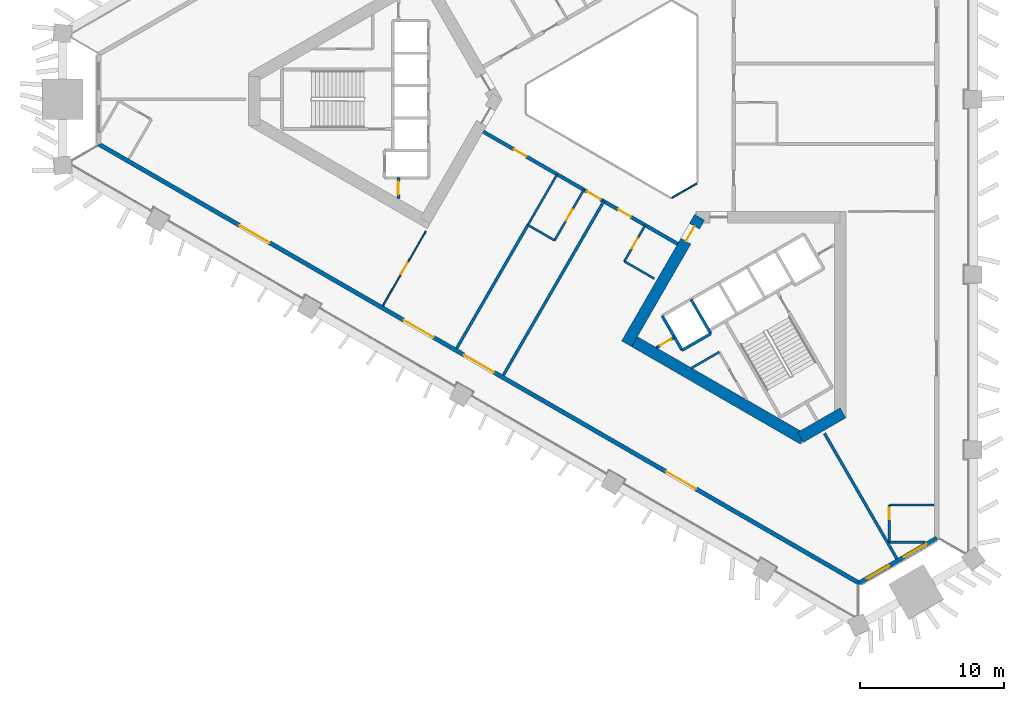
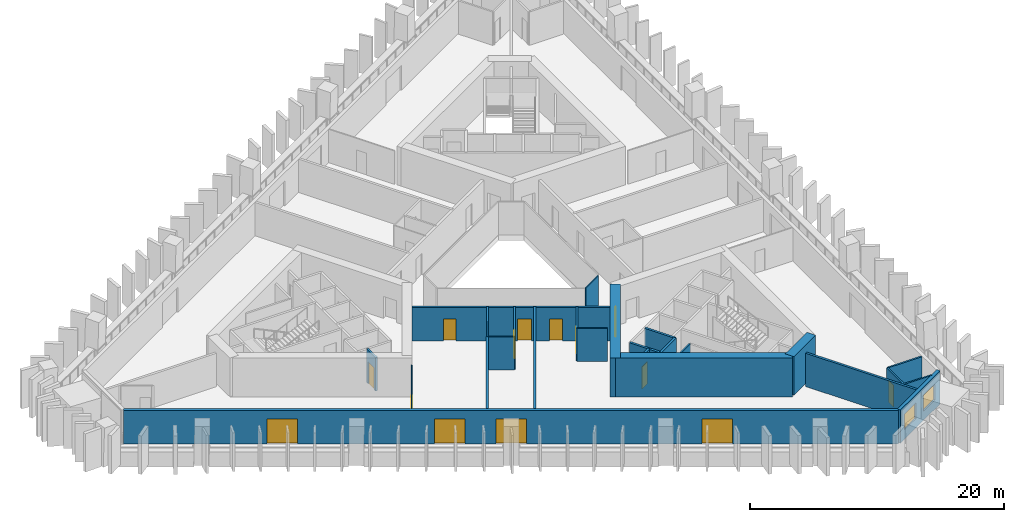
# One storey, part 2 of 10: 25 walls, 14 doors, 2 windows, 16 openings.
"""IFC4 building model written with IfcOpenShell, lengths in metres."""

from ifc_helpers import new_model, si_unit, direction, frame, frame_2d, origin, place, context, subcontext, project, spatial, rectangle, extrude, material, layer, layer_set, type_object, element, fill, save


model = new_model("IFC4")

# Units and contexts
model_context = context("Model", 3, precision=1e-05, world=origin(), true_north=direction((0.0, 1.0)))
body_context = subcontext(model_context, "Body", "Model", "MODEL_VIEW")
ifc_project = project(units=[si_unit("LENGTHUNIT", "METRE"), si_unit("AREAUNIT", "SQUARE_METRE"), si_unit("VOLUMEUNIT", "CUBIC_METRE"), si_unit("PLANEANGLEUNIT", "RADIAN"), si_unit("MASSUNIT", "GRAM", prefix="KILO")], contexts=[model_context])

# Site, building, storey
site_placement = place(None, origin())
site = spatial("IfcSite", under=ifc_project, at=site_placement, CompositionType="ELEMENT")
building_placement = place(site_placement, origin())
building = spatial("IfcBuilding", under=site, at=building_placement, Name="Jabali Bay Hotel Tower and Convention Centre", CompositionType="ELEMENT")
storey_placement = place(building_placement, frame((0.0, 0.0, 44.800048828125)))
storey = spatial("IfcBuildingStorey", under=building, at=storey_placement, Name="L09", CompositionType="ELEMENT", Elevation=44.800048828125)

# Wall
ifc_material_1 = material(Name="Fire-resistant glazing", Category="glass")
ifc_layer_1 = layer(ifc_material_1, 0.10009765625)
ifc_layer_set_1 = layer_set([ifc_layer_1], Name="Fire-resistant glazing")
wall_type_1 = type_object("IfcWallType", Name="Atrium glazed screen 100", PredefinedType="PARTITIONING", material=ifc_layer_set_1)
wall_1_placement = place(storey_placement, frame((77.7978515625, 73.15380859375, 0.0), z_axis=(0.0, 0.0, 1.0), x_axis=(0.866041268327, 0.499972520799, 0.0)))
element("IfcWall", 1, at=wall_1_placement, inside=storey, type_object=wall_type_1, Name="Atrium screen 6 L09", PredefinedType="PARTITIONING", context=body_context, shape_type="SweptSolid", body=[
    extrude(rectangle(XDim=2.0, YDim=0.10009765625, at=frame_2d((1.0, 0.0))), origin(), (0.0, 0.0, 1.0), 3.199951171875),
])

# Wall, opening, door
ifc_material_2 = material(Name="Concrete C40", Category="concrete")
ifc_layer_2 = layer(ifc_material_2, 0.199951171875)
ifc_layer_set_2 = layer_set([ifc_layer_2], Name="Concrete C40")
wall_type_2 = type_object("IfcWallType", Name="Core partition wall 200", PredefinedType="PARTITIONING", material=ifc_layer_set_2)
wall_2_placement = place(storey_placement, frame((58.800048828125, 74.550048828125, 0.0), z_axis=(0.0, 0.0, 1.0), x_axis=(0.0, -1.0, 0.0)))
wall_2 = element("IfcWall", 2, at=wall_2_placement, inside=storey, type_object=wall_type_2, Name="Core wall 0.12 L09", PredefinedType="PARTITIONING", context=body_context, shape_type="SweptSolid", body=[
    extrude(rectangle(XDim=1.455078125, YDim=0.199951171875, at=frame_2d((0.7275390625, 0.0))), origin(), (0.0, 0.0, 1.0), 3.199951171875),
])
opening_1_placement = place(wall_2_placement, frame((0.277587890625, 0.0, 0.0)))
opening_1 = element("IfcOpeningElement", 3, at=opening_1_placement, cuts=wall_2, Name="Opening D272", PredefinedType="OPENING", context=body_context, shape_type="SweptSolid", body=[
    extrude(rectangle(XDim=0.89990234375, YDim=2.10009765625, at=frame_2d((0.449951171875, 1.050048828125))), frame((0.0, 0.1103515625, 0.0), z_axis=(0.0, -1.0, 0.0), x_axis=(1.0, 0.0, 0.0)), (0.0, 0.0, 1.0), 0.220947265625),
])
ifc_material_3 = material(Name="Fire-rated steel door", Category="steel")
door_type_1 = type_object("IfcDoorType", Name="Vestibule fire door 900 x 2100", OperationType="NOTDEFINED", PredefinedType="NOTDEFINED", material=ifc_material_3)
door_1_placement = place(opening_1_placement, origin())
door_1 = element("IfcDoor", 4, at=door_1_placement, inside=storey, type_object=door_type_1, Name="Vestibule fire door D272", OperationType="SINGLE_SWING_LEFT", OverallHeight=2.10009765625, OverallWidth=0.89990234375, PredefinedType="NOTDEFINED", context=body_context, shape_type="SweptSolid", body=[
    extrude(rectangle(XDim=0.89990234375, YDim=2.10009765625, at=frame_2d((0.449951171875, 1.050048828125))), frame((0.0, 0.02490234375, 0.0), z_axis=(0.0, -1.0, 0.0), x_axis=(1.0, 0.0, 0.0)), (0.0, 0.0, 1.0), 0.050048828125),
])
fill(opening_1, door_1)

wall_3_placement = place(storey_placement, frame((76.719970703125, 62.748779296875, 0.0), z_axis=(0.0, 0.0, 1.0), x_axis=(0.866054810376, 0.49994906283, 0.0)))
wall_3 = element("IfcWall", 5, at=wall_3_placement, inside=storey, type_object=wall_type_2, Name="Core wall 2.11 L09", PredefinedType="PARTITIONING", context=body_context, shape_type="SweptSolid", body=[
    extrude(rectangle(XDim=1.461181640625, YDim=0.199951171875, at=frame_2d((0.73046875, 0.0))), origin(), (0.0, 0.0, 1.0), 3.199951171875),
])
opening_2_placement = place(wall_3_placement, frame((0.280517578125, 0.0, 0.0)))
opening_2 = element("IfcOpeningElement", 6, at=opening_2_placement, cuts=wall_3, Name="Opening D285", PredefinedType="OPENING", context=body_context, shape_type="SweptSolid", body=[
    extrude(rectangle(XDim=0.89990234375, YDim=2.10009765625, at=frame_2d((0.449951171875, 1.050048828125))), frame((0.0, 0.1103515625, 0.0), z_axis=(0.0, -1.0, 0.0), x_axis=(1.0, 0.0, 0.0)), (0.0, 0.0, 1.0), 0.220947265625),
])
door_2_placement = place(opening_2_placement, origin())
door_2 = element("IfcDoor", 7, at=door_2_placement, inside=storey, type_object=door_type_1, Name="Vestibule fire door D285", OperationType="SINGLE_SWING_LEFT", OverallHeight=2.10009765625, OverallWidth=0.89990234375, PredefinedType="NOTDEFINED", context=body_context, shape_type="SweptSolid", body=[
    extrude(rectangle(XDim=0.89990234375, YDim=2.10009765625, at=frame_2d((0.449951171875, 1.050048828125))), frame((0.0, 0.02490234375, 0.0), z_axis=(0.0, -1.0, 0.0), x_axis=(1.0, 0.0, 0.0)), (0.0, 0.0, 1.0), 0.050048828125),
])
fill(opening_2, door_2)

# Walls
ifc_material_4 = material(Name="Fire-rated board partition")
ifc_layer_3 = layer(ifc_material_4, 0.14990234375)
ifc_layer_set_3 = layer_set([ifc_layer_3], Name="Fire-rated board partition")
wall_type_3 = type_object("IfcWallType", Name="Core room partition 150", PredefinedType="PARTITIONING", material=ifc_layer_set_3)
wall_4_placement = place(storey_placement, frame((79.169921875, 61.334228515625, 0.0), z_axis=(0.0, 0.0, 1.0), x_axis=(0.866030041738, 0.499991966744, 0.0)))
element("IfcWall", 8, at=wall_4_placement, inside=storey, type_object=wall_type_3, Name="Core wall 2.16 L09", PredefinedType="PARTITIONING", context=body_context, shape_type="SweptSolid", body=[
    extrude(rectangle(XDim=2.2216796875, YDim=0.14990234375, at=frame_2d((1.11083984375, 0.0))), origin(), (0.0, 0.0, 1.0), 3.199951171875),
])
ifc_layer_4 = layer(ifc_material_2, 0.199951171875)
ifc_layer_set_4 = layer_set([ifc_layer_4], Name="Concrete C40")
wall_type_4 = type_object("IfcWallType", Name="Core stair wall 200", PredefinedType="SOLIDWALL", material=ifc_layer_set_4)
for number, where, z_axis, x_axis, name in (
    (9, (77.13525390625, 64.95166015625, 0.0), (0.0, 0.0, 1.0), (0.499996545922, -0.866027397988, 0.0), "Core wall 2.0 L09"),
    (10, (79.127197265625, 66.1015625, 0.0), (0.0, 0.0, 1.0), (0.499996545922, -0.866027397988, 0.0), "Core wall 2.2 L09"),
):
    element("IfcWall", number, at=place(storey_placement, frame(where, z_axis=z_axis, x_axis=x_axis)), inside=storey, type_object=wall_type_4, Name=name, PredefinedType="SOLIDWALL", context=body_context, shape_type="SweptSolid", body=[
        extrude(rectangle(XDim=2.75, YDim=0.199951171875, at=frame_2d((1.375, 0.0))), origin(), (0.0, 0.0, 1.0), 3.199951171875),
    ])
wall_5_placement = place(storey_placement, frame((78.51025390625, 62.570068359375, 0.0), z_axis=(0.0, 0.0, 1.0), x_axis=(0.866053019151, 0.499952165731, 0.0)))
element("IfcWall", 11, at=wall_5_placement, inside=storey, type_object=wall_type_4, Name="Core wall 2.14 L09", PredefinedType="SOLIDWALL", context=body_context, shape_type="SweptSolid", body=[
    extrude(rectangle(XDim=2.300048828125, YDim=0.199951171875, at=frame_2d((1.14990234375, 0.0))), origin(), (0.0, 0.0, 1.0), 3.199951171875),
])

# Wall, opening, door
ifc_material_5 = material(Name="Concrete C60", Category="concrete")
ifc_layer_5 = layer(ifc_material_5, 0.800048828125)
ifc_layer_set_5 = layer_set([ifc_layer_5], Name="Concrete C60")
wall_type_5 = type_object("IfcWallType", Name="Core wall 800", PredefinedType="SHEAR", material=ifc_layer_set_5)
wall_6_placement = place(storey_placement, frame((79.73095703125, 71.8056640625, 0.0), z_axis=(0.0, 0.0, 1.0), x_axis=(-0.49999662545, -0.866027352073, 0.0)))
wall_6 = element("IfcWall", 12, at=wall_6_placement, inside=storey, type_object=wall_type_5, Name="Core wall 3.1 L09", PredefinedType="SHEAR", context=body_context, shape_type="SweptSolid", body=[
    extrude(rectangle(XDim=10.14892578125, YDim=0.800048828125, at=frame_2d((5.074462890625, 0.0))), origin(), (0.0, 0.0, 1.0), 3.699951171875),
])
opening_3_placement = place(wall_6_placement, frame((0.718994140625, 0.0, 0.0)))
opening_3 = element("IfcOpeningElement", 13, at=opening_3_placement, cuts=wall_6, Name="Opening D282", PredefinedType="OPENING", context=body_context, shape_type="SweptSolid", body=[
    extrude(rectangle(XDim=1.199951171875, YDim=2.10009765625, at=frame_2d((0.60009765625, 1.050048828125))), frame((0.0, 0.41064453125, 0.0), z_axis=(0.0, -1.0, 0.0), x_axis=(1.0, 0.0, 0.0)), (0.0, 0.0, 1.0), 0.821044921875),
])
door_type_2 = type_object("IfcDoorType", Name="Corridor end fire door 1200 x 2100", OperationType="NOTDEFINED", PredefinedType="NOTDEFINED", material=ifc_material_3)
door_3_placement = place(opening_3_placement, origin())
door_3 = element("IfcDoor", 14, at=door_3_placement, inside=storey, type_object=door_type_2, Name="Corridor end fire door D282", OperationType="SINGLE_SWING_RIGHT", OverallHeight=2.10009765625, OverallWidth=1.199951171875, PredefinedType="NOTDEFINED", context=body_context, shape_type="SweptSolid", body=[
    extrude(rectangle(XDim=1.199951171875, YDim=2.10009765625, at=frame_2d((0.60009765625, 1.050048828125))), frame((0.0, 0.02490234375, 0.0), z_axis=(0.0, -1.0, 0.0), x_axis=(1.0, 0.0, 0.0)), (0.0, 0.0, 1.0), 0.050048828125),
])
fill(opening_3, door_3)

# Walls
wall_7_placement = place(storey_placement, frame((74.8564453125, 63.36279296875, 0.0), z_axis=(0.0, 0.0, 1.0), x_axis=(0.866029478545, -0.499992942241, 0.0)))
element("IfcWall", 15, at=wall_7_placement, inside=storey, type_object=wall_type_5, Name="Core wall 3.2 L09", PredefinedType="SHEAR", context=body_context, shape_type="SweptSolid", body=[
    extrude(rectangle(XDim=13.933349609375, YDim=0.800048828125, at=frame_2d((6.966796875, 0.0))), origin(), (0.0, 0.0, 1.0), 3.699951171875),
])
wall_8_placement = place(storey_placement, frame((86.72314453125, 56.51171875, 0.0), z_axis=(0.0, 0.0, 1.0), x_axis=(0.866034355626, 0.499984494636, 0.0)))
element("IfcWall", 16, at=wall_8_placement, inside=storey, type_object=wall_type_5, Name="Core wall 3.3 L09", PredefinedType="SHEAR", context=body_context, shape_type="SweptSolid", body=[
    extrude(rectangle(XDim=3.4140625, YDim=0.800048828125, at=frame_2d((1.70703125, 0.0))), origin(), (0.0, 0.0, 1.0), 3.699951171875),
])

# Wall, openings, doors
ifc_layer_6 = layer(ifc_material_5, 0.25)
ifc_layer_set_6 = layer_set([ifc_layer_6], Name="Concrete C60")
wall_type_6 = type_object("IfcWallType", Name="Corridor wall 250", PredefinedType="SHEAR", material=ifc_layer_set_6)
wall_9_placement = place(storey_placement, frame((64.699951171875, 77.748291015625, 0.0), z_axis=(0.0, 0.0, 1.0), x_axis=(0.866026492143, -0.499998114903, 0.0)))
wall_9 = element("IfcWall", 17, at=wall_9_placement, inside=storey, type_object=wall_type_6, Name="Corridor wall 3 L09", PredefinedType="SHEAR", context=body_context, shape_type="SweptSolid", body=[
    extrude(rectangle(XDim=15.58837890625, YDim=0.25, at=frame_2d((7.794189453125, 0.0))), origin(), (0.0, 0.0, 1.0), 3.199951171875),
])
opening_4_placement = place(wall_9_placement, frame((2.4619140625, 0.0, 0.0)))
opening_4 = element("IfcOpeningElement", 18, at=opening_4_placement, cuts=wall_9, Name="Opening 0916", PredefinedType="OPENING", context=body_context, shape_type="SweptSolid", body=[
    extrude(rectangle(XDim=1.0, YDim=2.10009765625, at=frame_2d((0.5, 1.050048828125))), frame((0.0, 0.135498046875, 0.0), z_axis=(0.0, -1.0, 0.0), x_axis=(1.0, 0.0, 0.0)), (0.0, 0.0, 1.0), 0.27099609375),
])
opening_5_placement = place(wall_9_placement, frame((8.314697265625, 0.0, 0.0)))
opening_5 = element("IfcOpeningElement", 19, at=opening_5_placement, cuts=wall_9, Name="Opening 0920", PredefinedType="OPENING", context=body_context, shape_type="SweptSolid", body=[
    extrude(rectangle(XDim=1.10009765625, YDim=2.10009765625, at=frame_2d((0.550048828125, 1.050048828125))), frame((0.0, 0.135498046875, 0.0), z_axis=(0.0, -1.0, 0.0), x_axis=(1.0, 0.0, 0.0)), (0.0, 0.0, 1.0), 0.27099609375),
])
opening_6_placement = place(wall_9_placement, frame((10.82666015625, 0.0, 0.0)))
opening_6 = element("IfcOpeningElement", 20, at=opening_6_placement, cuts=wall_9, Name="Opening 0922", PredefinedType="OPENING", context=body_context, shape_type="SweptSolid", body=[
    extrude(rectangle(XDim=1.0, YDim=2.10009765625, at=frame_2d((0.5, 1.050048828125))), frame((0.0, 0.135498046875, 0.0), z_axis=(0.0, -1.0, 0.0), x_axis=(1.0, 0.0, 0.0)), (0.0, 0.0, 1.0), 0.27099609375),
])
ifc_material_6 = material(Name="Timber", Category="wood")
door_type_3 = type_object("IfcDoorType", Name="Accessible guest room door 1100 x 2100", OperationType="NOTDEFINED", PredefinedType="NOTDEFINED", material=ifc_material_6)
door_4_placement = place(opening_5_placement, origin())
door_4 = element("IfcDoor", 21, at=door_4_placement, inside=storey, type_object=door_type_3, Name="Door 0920", OperationType="SINGLE_SWING_RIGHT", OverallHeight=2.10009765625, OverallWidth=1.10009765625, PredefinedType="NOTDEFINED", context=body_context, shape_type="SweptSolid", body=[
    extrude(rectangle(XDim=1.10009765625, YDim=2.10009765625, at=frame_2d((0.550048828125, 1.050048828125))), frame((0.0, 0.02490234375, 0.0), z_axis=(0.0, -1.0, 0.0), x_axis=(1.0, 0.0, 0.0)), (0.0, 0.0, 1.0), 0.050048828125),
])
fill(opening_5, door_4)
door_type_4 = type_object("IfcDoorType", Name="Guest room door 1000 x 2100", OperationType="NOTDEFINED", PredefinedType="NOTDEFINED", material=ifc_material_6)
door_5_placement = place(opening_4_placement, origin())
door_5 = element("IfcDoor", 22, at=door_5_placement, inside=storey, type_object=door_type_4, Name="Door 0916", OperationType="SINGLE_SWING_LEFT", OverallHeight=2.10009765625, OverallWidth=1.0, PredefinedType="NOTDEFINED", context=body_context, shape_type="SweptSolid", body=[
    extrude(rectangle(XDim=1.0, YDim=2.10009765625, at=frame_2d((0.5, 1.050048828125))), frame((0.0, 0.02490234375, 0.0), z_axis=(0.0, -1.0, 0.0), x_axis=(1.0, 0.0, 0.0)), (0.0, 0.0, 1.0), 0.050048828125),
])
fill(opening_4, door_5)
door_6_placement = place(opening_6_placement, origin())
door_6 = element("IfcDoor", 23, at=door_6_placement, inside=storey, type_object=door_type_4, Name="Door 0922", OperationType="SINGLE_SWING_RIGHT", OverallHeight=2.10009765625, OverallWidth=1.0, PredefinedType="NOTDEFINED", context=body_context, shape_type="SweptSolid", body=[
    extrude(rectangle(XDim=1.0, YDim=2.10009765625, at=frame_2d((0.5, 1.050048828125))), frame((0.0, 0.02490234375, 0.0), z_axis=(0.0, -1.0, 0.0), x_axis=(1.0, 0.0, 0.0)), (0.0, 0.0, 1.0), 0.050048828125),
])
fill(opening_6, door_6)

# Wall, openings, windows
ifc_layer_7 = layer(ifc_material_2, 0.300048828125)
ifc_layer_set_7 = layer_set([ifc_layer_7], Name="Concrete C40")
wall_type_7 = type_object("IfcWallType", Name="External wall 300", PredefinedType="SOLIDWALL", material=ifc_layer_set_7)
wall_10_placement = place(storey_placement, frame((96.201171875, 49.51708984375, 0.0), z_axis=(0.0, 0.0, 1.0), x_axis=(-0.86602136159, -0.500007001221, 0.0)))
wall_10 = element("IfcWall", 24, at=wall_10_placement, inside=storey, type_object=wall_type_7, Name="External wall south-east chamfer L09", PredefinedType="SOLIDWALL", context=body_context, shape_type="SweptSolid", body=[
    extrude(rectangle(XDim=6.23876953125, YDim=0.300048828125, at=frame_2d((3.119384765625, 0.0))), origin(), (0.0, 0.0, 1.0), 3.199951171875),
])
opening_7_placement = place(wall_10_placement, frame((0.818603515625, 0.0, 0.89990234375)))
opening_7 = element("IfcOpeningElement", 25, at=opening_7_placement, cuts=wall_10, Name="Opening W1", PredefinedType="OPENING", context=body_context, shape_type="SweptSolid", body=[
    extrude(rectangle(XDim=1.800048828125, YDim=1.5, at=frame_2d((0.89990234375, 0.75))), frame((0.0, 0.16064453125, 0.0), z_axis=(0.0, -1.0, 0.0), x_axis=(1.0, 0.0, 0.0)), (0.0, 0.0, 1.0), 0.321044921875),
])
opening_8_placement = place(wall_10_placement, frame((3.82177734375, 0.0, 0.89990234375)))
opening_8 = element("IfcOpeningElement", 26, at=opening_8_placement, cuts=wall_10, Name="Opening W1", PredefinedType="OPENING", context=body_context, shape_type="SweptSolid", body=[
    extrude(rectangle(XDim=1.800048828125, YDim=1.5, at=frame_2d((0.89990234375, 0.75))), frame((0.0, 0.16064453125, 0.0), z_axis=(0.0, -1.0, 0.0), x_axis=(1.0, 0.0, 0.0)), (0.0, 0.0, 1.0), 0.321044921875),
])
ifc_material_7 = material(Name="Glass", Category="glass")
window_type = type_object("IfcWindowType", Name="Window 1800 x 1500", PartitioningType="SINGLE_PANEL", PredefinedType="WINDOW", material=ifc_material_7)
window_1_placement = place(opening_7_placement, origin())
window_1 = element("IfcWindow", 27, at=window_1_placement, inside=storey, type_object=window_type, Name="Window 901", OverallHeight=1.5, OverallWidth=1.800048828125, PartitioningType="SINGLE_PANEL", PredefinedType="WINDOW", context=body_context, shape_type="SweptSolid", body=[
    extrude(rectangle(XDim=1.800048828125, YDim=1.5, at=frame_2d((0.89990234375, 0.75))), frame((0.0, 0.030029296875, 0.0), z_axis=(0.0, -1.0, 0.0), x_axis=(1.0, 0.0, 0.0)), (0.0, 0.0, 1.0), 0.06005859375),
])
fill(opening_7, window_1)
window_2_placement = place(opening_8_placement, origin())
window_2 = element("IfcWindow", 28, at=window_2_placement, inside=storey, type_object=window_type, Name="Window 909", OverallHeight=1.5, OverallWidth=1.800048828125, PartitioningType="SINGLE_PANEL", PredefinedType="WINDOW", context=body_context, shape_type="SweptSolid", body=[
    extrude(rectangle(XDim=1.800048828125, YDim=1.5, at=frame_2d((0.89990234375, 0.75))), frame((0.0, 0.030029296875, 0.0), z_axis=(0.0, -1.0, 0.0), x_axis=(1.0, 0.0, 0.0)), (0.0, 0.0, 1.0), 0.06005859375),
])
fill(opening_8, window_2)

# Wall, openings, doors
wall_11_placement = place(storey_placement, frame((90.79833984375, 46.397705078125, 0.0), z_axis=(0.0, 0.0, 1.0), x_axis=(-0.866025003598, 0.500000693143, 0.0)))
wall_11 = element("IfcWall", 29, at=wall_11_placement, inside=storey, type_object=wall_type_7, Name="External wall south-west face L09", PredefinedType="SOLIDWALL", context=body_context, shape_type="SweptSolid", body=[
    extrude(rectangle(XDim=60.9658203125, YDim=0.300048828125, at=frame_2d((30.48291015625, 0.0))), origin(), (0.0, 0.0, 1.0), 3.199951171875),
])
opening_9_placement = place(wall_11_placement, frame((29.28271484375, 0.0, 0.0)))
opening_9 = element("IfcOpeningElement", 30, at=opening_9_placement, cuts=wall_11, Name="Opening SD1", PredefinedType="OPENING", context=body_context, shape_type="SweptSolid", body=[
    extrude(rectangle(XDim=2.39990234375, YDim=2.39990234375, at=frame_2d((1.199951171875, 1.199951171875))), frame((0.0, 0.16064453125, 0.0), z_axis=(0.0, -1.0, 0.0), x_axis=(1.0, 0.0, 0.0)), (0.0, 0.0, 1.0), 0.321044921875),
])
opening_10_placement = place(wall_11_placement, frame((34.115234375, 0.0, 0.0)))
opening_10 = element("IfcOpeningElement", 31, at=opening_10_placement, cuts=wall_11, Name="Opening SD1", PredefinedType="OPENING", context=body_context, shape_type="SweptSolid", body=[
    extrude(rectangle(XDim=2.39990234375, YDim=2.39990234375, at=frame_2d((1.199951171875, 1.199951171875))), frame((0.0, 0.16064453125, 0.0), z_axis=(0.0, -1.0, 0.0), x_axis=(1.0, 0.0, 0.0)), (0.0, 0.0, 1.0), 0.321044921875),
])
opening_11_placement = place(wall_11_placement, frame((47.275146484375, 0.0, 0.0)))
opening_11 = element("IfcOpeningElement", 32, at=opening_11_placement, cuts=wall_11, Name="Opening SD1", PredefinedType="OPENING", context=body_context, shape_type="SweptSolid", body=[
    extrude(rectangle(XDim=2.39990234375, YDim=2.39990234375, at=frame_2d((1.199951171875, 1.199951171875))), frame((0.0, 0.16064453125, 0.0), z_axis=(0.0, -1.0, 0.0), x_axis=(1.0, 0.0, 0.0)), (0.0, 0.0, 1.0), 0.321044921875),
])
opening_12_placement = place(wall_11_placement, frame((13.062744140625, 0.0, 0.0)))
opening_12 = element("IfcOpeningElement", 33, at=opening_12_placement, cuts=wall_11, Name="Opening SD1", PredefinedType="OPENING", context=body_context, shape_type="SweptSolid", body=[
    extrude(rectangle(XDim=2.39990234375, YDim=2.39990234375, at=frame_2d((1.199951171875, 1.199951171875))), frame((0.0, 0.16064453125, 0.0), z_axis=(0.0, -1.0, 0.0), x_axis=(1.0, 0.0, 0.0)), (0.0, 0.0, 1.0), 0.321044921875),
])
door_type_5 = type_object("IfcDoorType", Name="Loggia sliding door 2400 x 2400", OperationType="NOTDEFINED", PredefinedType="NOTDEFINED", material=ifc_material_7)
door_7_placement = place(opening_9_placement, origin())
door_7 = element("IfcDoor", 34, at=door_7_placement, inside=storey, type_object=door_type_5, Name="Loggia sliding door 908", OperationType="SLIDING_TO_LEFT", OverallHeight=2.39990234375, OverallWidth=2.39990234375, PredefinedType="NOTDEFINED", context=body_context, shape_type="SweptSolid", body=[
    extrude(rectangle(XDim=2.39990234375, YDim=2.39990234375, at=frame_2d((1.199951171875, 1.199951171875))), frame((0.0, 0.02490234375, 0.0), z_axis=(0.0, -1.0, 0.0), x_axis=(1.0, 0.0, 0.0)), (0.0, 0.0, 1.0), 0.050048828125),
])
fill(opening_9, door_7)
door_8_placement = place(opening_10_placement, origin())
door_8 = element("IfcDoor", 35, at=door_8_placement, inside=storey, type_object=door_type_5, Name="Loggia sliding door 907", OperationType="SLIDING_TO_RIGHT", OverallHeight=2.39990234375, OverallWidth=2.39990234375, PredefinedType="NOTDEFINED", context=body_context, shape_type="SweptSolid", body=[
    extrude(rectangle(XDim=2.39990234375, YDim=2.39990234375, at=frame_2d((1.199951171875, 1.199951171875))), frame((0.0, 0.02490234375, 0.0), z_axis=(0.0, -1.0, 0.0), x_axis=(1.0, 0.0, 0.0)), (0.0, 0.0, 1.0), 0.050048828125),
])
fill(opening_10, door_8)
door_9_placement = place(opening_11_placement, origin())
door_9 = element("IfcDoor", 36, at=door_9_placement, inside=storey, type_object=door_type_5, Name="Loggia sliding door 907", OperationType="SLIDING_TO_LEFT", OverallHeight=2.39990234375, OverallWidth=2.39990234375, PredefinedType="NOTDEFINED", context=body_context, shape_type="SweptSolid", body=[
    extrude(rectangle(XDim=2.39990234375, YDim=2.39990234375, at=frame_2d((1.199951171875, 1.199951171875))), frame((0.0, 0.02490234375, 0.0), z_axis=(0.0, -1.0, 0.0), x_axis=(1.0, 0.0, 0.0)), (0.0, 0.0, 1.0), 0.050048828125),
])
fill(opening_11, door_9)
door_10_placement = place(opening_12_placement, origin())
door_10 = element("IfcDoor", 37, at=door_10_placement, inside=storey, type_object=door_type_5, Name="Loggia sliding door 909", OperationType="SLIDING_TO_RIGHT", OverallHeight=2.39990234375, OverallWidth=2.39990234375, PredefinedType="NOTDEFINED", context=body_context, shape_type="SweptSolid", body=[
    extrude(rectangle(XDim=2.39990234375, YDim=2.39990234375, at=frame_2d((1.199951171875, 1.199951171875))), frame((0.0, 0.02490234375, 0.0), z_axis=(0.0, -1.0, 0.0), x_axis=(1.0, 0.0, 0.0)), (0.0, 0.0, 1.0), 0.050048828125),
])
fill(opening_12, door_10)

# Wall, opening, door
ifc_material_8 = material(Name="Plasterboard on steel stud", Category="steel")
ifc_layer_8 = layer(ifc_material_8, 0.10009765625)
ifc_layer_set_8 = layer_set([ifc_layer_8], Name="Plasterboard on steel stud")
wall_type_8 = type_object("IfcWallType", Name="Partition 100 unit", PredefinedType="PARTITIONING", material=ifc_layer_set_8)
wall_12_placement = place(storey_placement, frame((60.71044921875, 70.83837890625, 0.0), z_axis=(0.0, 0.0, 1.0), x_axis=(-0.49998544381, -0.866033807642, 0.0)))
wall_12 = element("IfcWall", 38, at=wall_12_placement, inside=storey, type_object=wall_type_8, Name="Partition P02 L09 027", PredefinedType="PARTITIONING", context=body_context, shape_type="SweptSolid", body=[
    extrude(rectangle(XDim=5.973388671875, YDim=0.10009765625, at=frame_2d((2.98681640625, 0.0))), origin(), (0.0, 0.0, 1.0), 3.199951171875),
])
opening_13_placement = place(wall_12_placement, frame((2.537109375, 0.0, 0.0)))
opening_13 = element("IfcOpeningElement", 39, at=opening_13_placement, cuts=wall_12, Name="Opening 0917", PredefinedType="OPENING", context=body_context, shape_type="SweptSolid", body=[
    extrude(rectangle(XDim=0.89990234375, YDim=2.10009765625, at=frame_2d((0.449951171875, 1.050048828125))), frame((0.0, 0.060546875, 0.0), z_axis=(0.0, -1.0, 0.0), x_axis=(1.0, 0.0, 0.0)), (0.0, 0.0, 1.0), 0.12109375),
])
door_type_6 = type_object("IfcDoorType", Name="Internal door 900 x 2100", OperationType="NOTDEFINED", PredefinedType="NOTDEFINED", material=ifc_material_6)
door_11_placement = place(opening_13_placement, origin())
door_11 = element("IfcDoor", 40, at=door_11_placement, inside=storey, type_object=door_type_6, Name="Door 0917", OperationType="SINGLE_SWING_RIGHT", OverallHeight=2.10009765625, OverallWidth=0.89990234375, PredefinedType="NOTDEFINED", context=body_context, shape_type="SweptSolid", body=[
    extrude(rectangle(XDim=0.89990234375, YDim=2.10009765625, at=frame_2d((0.449951171875, 1.050048828125))), frame((0.0, 0.02490234375, 0.0), z_axis=(0.0, -1.0, 0.0), x_axis=(1.0, 0.0, 0.0)), (0.0, 0.0, 1.0), 0.050048828125),
])
fill(opening_13, door_11)

# Wall
ifc_layer_9 = layer(ifc_material_8, 0.14990234375)
ifc_layer_set_9 = layer_set([ifc_layer_9], Name="Plasterboard on steel stud")
wall_type_9 = type_object("IfcWallType", Name="Partition 150 wet", PredefinedType="PARTITIONING", material=ifc_layer_set_9)
wall_13_placement = place(storey_placement, frame((95.401611328125, 49.2275390625, 0.0), z_axis=(0.0, 0.0, 1.0), x_axis=(-1.0, 0.0, 0.0)))
element("IfcWall", 41, at=wall_13_placement, inside=storey, type_object=wall_type_9, Name="Partition P03 L09 004", PredefinedType="PARTITIONING", context=body_context, shape_type="SweptSolid", body=[
    extrude(rectangle(XDim=2.5, YDim=0.14990234375, at=frame_2d((1.25, 0.0))), origin(), (0.0, 0.0, 1.0), 3.199951171875),
])

# Wall, opening, door
wall_14_placement = place(storey_placement, frame((92.901611328125, 49.2275390625, 0.0), z_axis=(0.0, 0.0, 1.0), x_axis=(0.0, 1.0, 0.0)))
wall_14 = element("IfcWall", 42, at=wall_14_placement, inside=storey, type_object=wall_type_9, Name="Partition P03 L09 005", PredefinedType="PARTITIONING", context=body_context, shape_type="SweptSolid", body=[
    extrude(rectangle(XDim=2.60009765625, YDim=0.14990234375, at=frame_2d((1.300048828125, 0.0))), origin(), (0.0, 0.0, 1.0), 3.199951171875),
])
opening_14_placement = place(wall_14_placement, frame((1.60009765625, 0.0, 0.0)))
opening_14 = element("IfcOpeningElement", 43, at=opening_14_placement, cuts=wall_14, Name="Opening 0903", PredefinedType="OPENING", context=body_context, shape_type="SweptSolid", body=[
    extrude(rectangle(XDim=0.800048828125, YDim=2.10009765625, at=frame_2d((0.39990234375, 1.050048828125))), frame((0.0, 0.08544921875, 0.0), z_axis=(0.0, -1.0, 0.0), x_axis=(1.0, 0.0, 0.0)), (0.0, 0.0, 1.0), 0.1708984375),
])
door_type_7 = type_object("IfcDoorType", Name="En-suite door 800 x 2100", OperationType="NOTDEFINED", PredefinedType="NOTDEFINED", material=ifc_material_6)
door_12_placement = place(opening_14_placement, origin())
door_12 = element("IfcDoor", 44, at=door_12_placement, inside=storey, type_object=door_type_7, Name="Door 0903", OperationType="SINGLE_SWING_RIGHT", OverallHeight=2.10009765625, OverallWidth=0.800048828125, PredefinedType="NOTDEFINED", context=body_context, shape_type="SweptSolid", body=[
    extrude(rectangle(XDim=0.800048828125, YDim=2.10009765625, at=frame_2d((0.39990234375, 1.050048828125))), frame((0.0, 0.02490234375, 0.0), z_axis=(0.0, -1.0, 0.0), x_axis=(1.0, 0.0, 0.0)), (0.0, 0.0, 1.0), 0.050048828125),
])
fill(opening_14, door_12)

# Walls
wall_15_placement = place(storey_placement, frame((92.901611328125, 51.82763671875, 0.0), z_axis=(0.0, 0.0, 1.0), x_axis=(1.0, 0.0, 0.0)))
element("IfcWall", 45, at=wall_15_placement, inside=storey, type_object=wall_type_9, Name="Partition P03 L09 006", PredefinedType="PARTITIONING", context=body_context, shape_type="SweptSolid", body=[
    extrude(rectangle(XDim=3.109619140625, YDim=0.14990234375, at=frame_2d((1.5546875, 0.0))), origin(), (0.0, 0.0, 1.0), 3.199951171875),
])
wall_16_placement = place(storey_placement, frame((67.79833984375, 71.267822265625, 0.0), z_axis=(0.0, 0.0, 1.0), x_axis=(0.500029316959, 0.866008476969, 0.0)))
element("IfcWall", 46, at=wall_16_placement, inside=storey, type_object=wall_type_9, Name="Partition P03 L09 029", PredefinedType="PARTITIONING", context=body_context, shape_type="SweptSolid", body=[
    extrude(rectangle(XDim=4.063232421875, YDim=0.14990234375, at=frame_2d((2.03173828125, 0.0))), origin(), (0.0, 0.0, 1.0), 3.199951171875),
])

# Wall, opening, door
wall_17_placement = place(storey_placement, frame((71.684326171875, 73.7158203125, 0.0), z_axis=(0.0, 0.0, 1.0), x_axis=(-0.500010271798, -0.866019473278, 0.0)))
wall_17 = element("IfcWall", 47, at=wall_17_placement, inside=storey, type_object=wall_type_9, Name="Partition P03 L09 033", PredefinedType="PARTITIONING", context=body_context, shape_type="SweptSolid", body=[
    extrude(rectangle(XDim=4.06298828125, YDim=0.14990234375, at=frame_2d((2.031494140625, 0.0))), origin(), (0.0, 0.0, 1.0), 3.199951171875),
])
opening_15_placement = place(wall_17_placement, frame((1.58203125, 0.0, 0.0)))
opening_15 = element("IfcOpeningElement", 48, at=opening_15_placement, cuts=wall_17, Name="Opening 0919", PredefinedType="OPENING", context=body_context, shape_type="SweptSolid", body=[
    extrude(rectangle(XDim=0.89990234375, YDim=2.10009765625, at=frame_2d((0.449951171875, 1.050048828125))), frame((0.0, 0.08544921875, 0.0), z_axis=(0.0, -1.0, 0.0), x_axis=(1.0, 0.0, 0.0)), (0.0, 0.0, 1.0), 0.1708984375),
])
door_type_8 = type_object("IfcDoorType", Name="Accessible en-suite door 900 x 2100", OperationType="NOTDEFINED", PredefinedType="NOTDEFINED", material=ifc_material_6)
door_13_placement = place(opening_15_placement, origin())
door_13 = element("IfcDoor", 49, at=door_13_placement, inside=storey, type_object=door_type_8, Name="Door 0919", OperationType="SINGLE_SWING_RIGHT", OverallHeight=2.10009765625, OverallWidth=0.89990234375, PredefinedType="NOTDEFINED", context=body_context, shape_type="SweptSolid", body=[
    extrude(rectangle(XDim=0.89990234375, YDim=2.10009765625, at=frame_2d((0.449951171875, 1.050048828125))), frame((0.0, 0.02490234375, 0.0), z_axis=(0.0, -1.0, 0.0), x_axis=(1.0, 0.0, 0.0)), (0.0, 0.0, 1.0), 0.050048828125),
])
fill(opening_15, door_13)

# Walls
wall_18_placement = place(storey_placement, frame((69.65283203125, 70.197265625, 0.0), z_axis=(0.0, 0.0, 1.0), x_axis=(-0.86605268637, 0.499952742198, 0.0)))
element("IfcWall", 50, at=wall_18_placement, inside=storey, type_object=wall_type_9, Name="Partition P03 L09 034", PredefinedType="PARTITIONING", context=body_context, shape_type="SweptSolid", body=[
    extrude(rectangle(XDim=2.141357421875, YDim=0.14990234375, at=frame_2d((1.07080078125, 0.0))), origin(), (0.0, 0.0, 1.0), 3.199951171875),
])
wall_19_placement = place(storey_placement, frame((76.57763671875, 67.542236328125, 0.0), z_axis=(0.0, 0.0, 1.0), x_axis=(-0.866038271014, 0.499977712642, 0.0)))
element("IfcWall", 51, at=wall_19_placement, inside=storey, type_object=wall_type_9, Name="Partition P03 L09 036", PredefinedType="PARTITIONING", context=body_context, shape_type="SweptSolid", body=[
    extrude(rectangle(XDim=2.40087890625, YDim=0.14990234375, at=frame_2d((1.200439453125, 0.0))), origin(), (0.0, 0.0, 1.0), 3.199951171875),
])

# Wall, opening, door
wall_20_placement = place(storey_placement, frame((74.498291015625, 68.74267578125, 0.0), z_axis=(0.0, 0.0, 1.0), x_axis=(0.499987231761, 0.866032775405, 0.0)))
wall_20 = element("IfcWall", 52, at=wall_20_placement, inside=storey, type_object=wall_type_9, Name="Partition P03 L09 037", PredefinedType="PARTITIONING", context=body_context, shape_type="SweptSolid", body=[
    extrude(rectangle(XDim=2.89990234375, YDim=0.14990234375, at=frame_2d((1.449951171875, 0.0))), origin(), (0.0, 0.0, 1.0), 3.199951171875),
])
opening_16_placement = place(wall_20_placement, frame((1.050048828125, 0.0, 0.0)))
opening_16 = element("IfcOpeningElement", 53, at=opening_16_placement, cuts=wall_20, Name="Opening 0921", PredefinedType="OPENING", context=body_context, shape_type="SweptSolid", body=[
    extrude(rectangle(XDim=0.800048828125, YDim=2.10009765625, at=frame_2d((0.39990234375, 1.050048828125))), frame((0.0, 0.08544921875, 0.0), z_axis=(0.0, -1.0, 0.0), x_axis=(1.0, 0.0, 0.0)), (0.0, 0.0, 1.0), 0.1708984375),
])
door_14_placement = place(opening_16_placement, origin())
door_14 = element("IfcDoor", 54, at=door_14_placement, inside=storey, type_object=door_type_7, Name="Door 0921", OperationType="SINGLE_SWING_RIGHT", OverallHeight=2.10009765625, OverallWidth=0.800048828125, PredefinedType="NOTDEFINED", context=body_context, shape_type="SweptSolid", body=[
    extrude(rectangle(XDim=0.800048828125, YDim=2.10009765625, at=frame_2d((0.39990234375, 1.050048828125))), frame((0.0, 0.02490234375, 0.0), z_axis=(0.0, -1.0, 0.0), x_axis=(1.0, 0.0, 0.0)), (0.0, 0.0, 1.0), 0.050048828125),
])
fill(opening_16, door_14)

# Walls
ifc_layer_10 = layer(ifc_material_8, 0.199951171875)
ifc_layer_set_10 = layer_set([ifc_layer_10], Name="Plasterboard on steel stud")
wall_type_10 = type_object("IfcWallType", Name="Partition 200 party", PredefinedType="PARTITIONING", material=ifc_layer_set_10)
wall_21_placement = place(storey_placement, frame((88.40185546875, 56.789306640625, 0.0), z_axis=(0.0, 0.0, 1.0), x_axis=(0.499998669855, -0.866026171743, 0.0)))
element("IfcWall", 55, at=wall_21_placement, inside=storey, type_object=wall_type_10, Name="Partition P01 L09 007", PredefinedType="PARTITIONING", context=body_context, shape_type="SweptSolid", body=[
    extrude(rectangle(XDim=10.04833984375, YDim=0.199951171875, at=frame_2d((5.024169921875, 0.0))), origin(), (0.0, 0.0, 1.0), 3.199951171875),
])
wall_22_placement = place(storey_placement, frame((62.85400390625, 62.70361328125, 0.0), z_axis=(0.0, 0.0, 1.0), x_axis=(0.499983889192, 0.866034705164, 0.0)))
element("IfcWall", 56, at=wall_22_placement, inside=storey, type_object=wall_type_10, Name="Partition P01 L09 028", PredefinedType="PARTITIONING", context=body_context, shape_type="SweptSolid", body=[
    extrude(rectangle(XDim=9.888916015625, YDim=0.199951171875, at=frame_2d((4.9443359375, 0.0))), origin(), (0.0, 0.0, 1.0), 3.199951171875),
])
wall_23_placement = place(storey_placement, frame((66.093994140625, 60.8330078125, 0.0), z_axis=(0.0, 0.0, 1.0), x_axis=(0.499997119037, 0.866027067103, 0.0)))
element("IfcWall", 57, at=wall_23_placement, inside=storey, type_object=wall_type_10, Name="Partition P01 L09 035", PredefinedType="PARTITIONING", context=body_context, shape_type="SweptSolid", body=[
    extrude(rectangle(XDim=13.9521484375, YDim=0.199951171875, at=frame_2d((6.97607421875, 0.0))), origin(), (0.0, 0.0, 1.0), 3.199951171875),
])

save(model, "model.ifc")
